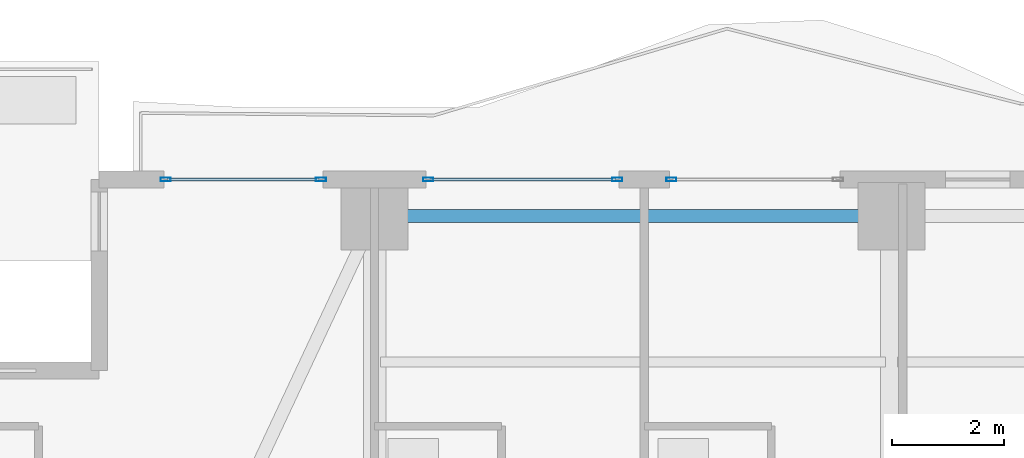
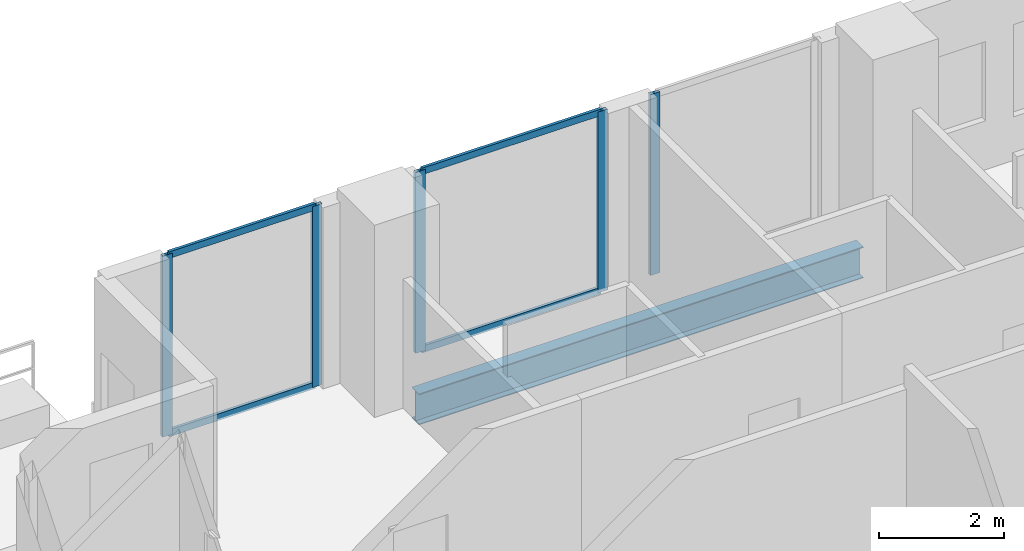
# One storey, part 17 of 33: 9 members, 1 beam, 3 elements without a shape of their own.
"""IFC4 building model written with IfcOpenShell, lengths in metres."""

from ifc_helpers import new_model, si_unit, direction, frame, origin, origin_2d, place, context, subcontext, project, spatial, hollow_rectangle, i_section, extrude, material, layer, layer_set, material_profile, profile_set, type_object, element, aggregate, save


model = new_model("IFC4")

# Units and contexts
model_context = context("Model", 3, precision=1e-05, world=origin(), true_north=direction((0.0, 1.0)))
body_context = subcontext(model_context, "Body", "Model", "MODEL_VIEW")
ifc_project = project(units=[si_unit("LENGTHUNIT", "METRE"), si_unit("AREAUNIT", "SQUARE_METRE"), si_unit("VOLUMEUNIT", "CUBIC_METRE"), si_unit("PLANEANGLEUNIT", "RADIAN"), si_unit("MASSUNIT", "GRAM", prefix="KILO")], contexts=[model_context])

# Site, building, storey
site_placement = place(None, origin())
site = spatial("IfcSite", under=ifc_project, at=site_placement, CompositionType="ELEMENT")
building_placement = place(site_placement, origin())
building = spatial("IfcBuilding", under=site, at=building_placement, Name="Zuhayl Quay Hotel", CompositionType="ELEMENT")
storey_placement = place(building_placement, frame((0.0, 0.0, 222.39990234375)))
storey = spatial("IfcBuildingStorey", under=building, at=storey_placement, Name="L56", CompositionType="ELEMENT", Elevation=222.39990234375)

# Beam
ifc_material_1 = material(Name="Steel ASTM A992 Grade 50", Category="steel")
ifc_material_profile_1 = material_profile(ifc_material_1, i_section(OverallWidth=0.22802734375, OverallDepth=0.60693359375, WebThickness=0.01123046875, FlangeThickness=0.017333984375, at=origin_2d()), Name="W24X76")
ifc_profile_set_1 = profile_set([ifc_material_profile_1], Name="Steel ASTM A992 Grade 50")
beam_type = type_object("IfcBeamType", Name="BM_B3_W24X76", PredefinedType="BEAM", material=ifc_profile_set_1)
beam_placement = place(storey_placement, frame((-5.10009765625, 32.949951171875, -0.5234375), z_axis=(-1.0, 0.0, 0.0), x_axis=(0.0, -1.0, 0.0)))
element("IfcBeam", 1, at=beam_placement, inside=storey, type_object=beam_type, Name="L56 Floor Beam RG_L56_09", PredefinedType="BEAM", context=body_context, shape_type="SweptSolid", body=[
    extrude(i_section(OverallWidth=0.22802734375, OverallDepth=0.60693359375, WebThickness=0.01123046875, FlangeThickness=0.017333984375, at=origin_2d()), origin(), (0.0, 0.0, 1.0), 8.199951171875),
])

# Curtain wall, members
ifc_material_2 = material(Name="Anodised Aluminium 6063-T6", Category="aluminium")
ifc_layer = layer(ifc_material_2, 0.175048828125, Name="Anodised Aluminium 6063-T6", Category="aluminium")
ifc_layer_set = layer_set([ifc_layer], Name="Anodised Aluminium 6063-T6")
curtain_wall_type = type_object("IfcCurtainWallType", Name="CW_SYS_Z3", PredefinedType="USERDEFINED", material=ifc_layer_set)
curtain_wall_1_placement = place(storey_placement, origin())
curtain_wall_1 = element("IfcCurtainWall", 2, at=curtain_wall_1_placement, inside=storey, type_object=curtain_wall_type, Name="L56 Curtain Wall ENV_L56_N_CW1", ObjectType="UNITISED CURTAIN WALL", PredefinedType="USERDEFINED")
ifc_material_3 = material(Name="Black-anodised aluminium 6063-T6", Category="aluminium")
ifc_material_profile_2 = material_profile(ifc_material_3, hollow_rectangle(XDim=0.06494140625, YDim=0.179931640625, WallThickness=0.00341796875, at=origin_2d()), Name="ALU180X65")
ifc_profile_set_2 = profile_set([ifc_material_profile_2], Name="Black-anodised aluminium 6063-T6")
member_type_1 = type_object("IfcMemberType", Name="MB_CW_MUL_180", PredefinedType="MULLION", material=ifc_profile_set_2)
member_1_placement = place(storey_placement, frame((-17.517578125, 33.60009765625, 0.0), z_axis=(0.0, 0.0, 1.0), x_axis=(0.0, 1.0, 0.0)))
member_1 = element("IfcMember", 3, at=member_1_placement, type_object=member_type_1, Name="CW-Z3 mullion 1", PredefinedType="MULLION", context=body_context, shape_type="SweptSolid", body=[
    extrude(hollow_rectangle(XDim=0.06494140625, YDim=0.179931640625, WallThickness=0.00341796875, at=origin_2d()), origin(), (0.0, 0.0, 1.0), 3.530029296875),
])
member_2_placement = place(storey_placement, frame((-14.75244140625, 33.60009765625, 0.0), z_axis=(0.0, 0.0, 1.0), x_axis=(0.0, 1.0, 0.0)))
member_2 = element("IfcMember", 4, at=member_2_placement, type_object=member_type_1, Name="CW-Z3 mullion 2", PredefinedType="MULLION", context=body_context, shape_type="SweptSolid", body=[
    extrude(hollow_rectangle(XDim=0.06494140625, YDim=0.179931640625, WallThickness=0.00341796875, at=origin_2d()), origin(), (0.0, 0.0, 1.0), 3.530029296875),
])

curtain_wall_2_placement = place(storey_placement, origin())
curtain_wall_2 = element("IfcCurtainWall", 5, at=curtain_wall_2_placement, inside=storey, type_object=curtain_wall_type, Name="L56 Curtain Wall ENV_L56_N_CW2", ObjectType="UNITISED CURTAIN WALL", PredefinedType="USERDEFINED")
member_3_placement = place(storey_placement, frame((-12.847412109375, 33.60009765625, 0.0), z_axis=(0.0, 0.0, 1.0), x_axis=(0.0, 1.0, 0.0)))
member_3 = element("IfcMember", 6, at=member_3_placement, type_object=member_type_1, Name="CW-Z3 mullion 1", PredefinedType="MULLION", context=body_context, shape_type="SweptSolid", body=[
    extrude(hollow_rectangle(XDim=0.06494140625, YDim=0.179931640625, WallThickness=0.00341796875, at=origin_2d()), origin(), (0.0, 0.0, 1.0), 3.530029296875),
])
member_4_placement = place(storey_placement, frame((-9.482421875, 33.60009765625, 0.0), z_axis=(0.0, 0.0, 1.0), x_axis=(0.0, 1.0, 0.0)))
member_4 = element("IfcMember", 7, at=member_4_placement, type_object=member_type_1, Name="CW-Z3 mullion 2", PredefinedType="MULLION", context=body_context, shape_type="SweptSolid", body=[
    extrude(hollow_rectangle(XDim=0.06494140625, YDim=0.179931640625, WallThickness=0.00341796875, at=origin_2d()), origin(), (0.0, 0.0, 1.0), 3.530029296875),
])

# Curtain wall, member
curtain_wall_3_placement = place(storey_placement, origin())
curtain_wall_3 = element("IfcCurtainWall", 8, at=curtain_wall_3_placement, inside=storey, type_object=curtain_wall_type, Name="L56 Curtain Wall ENV_L56_N_CW3", ObjectType="UNITISED CURTAIN WALL", PredefinedType="USERDEFINED")
member_5_placement = place(storey_placement, frame((-8.517578125, 33.60009765625, 0.0), z_axis=(0.0, 0.0, 1.0), x_axis=(0.0, 1.0, 0.0)))
member_5 = element("IfcMember", 9, at=member_5_placement, type_object=member_type_1, Name="CW-Z3 mullion 1", PredefinedType="MULLION", context=body_context, shape_type="SweptSolid", body=[
    extrude(hollow_rectangle(XDim=0.06494140625, YDim=0.179931640625, WallThickness=0.00341796875, at=origin_2d()), origin(), (0.0, 0.0, 1.0), 3.530029296875),
])
aggregate(curtain_wall_3, [member_5])

# Member
ifc_material_profile_3 = material_profile(ifc_material_3, hollow_rectangle(XDim=0.054931640625, YDim=0.1298828125, WallThickness=0.0029296875, at=origin_2d()), Name="ALU130X55")
ifc_profile_set_3 = profile_set([ifc_material_profile_3], Name="Black-anodised aluminium 6063-T6")
member_type_2 = type_object("IfcMemberType", Name="MB_CW_TRN_130", PredefinedType="USERDEFINED", material=ifc_profile_set_3)
member_6_placement = place(storey_placement, frame((-17.485107421875, 33.60009765625, 0.027587890625), z_axis=(1.0, 0.0, 0.0), x_axis=(0.0, 1.0, 0.0)))
member_6 = element("IfcMember", 10, at=member_6_placement, type_object=member_type_2, Name="CW-Z3 transom 1.1", ObjectType="TRANSOM", PredefinedType="USERDEFINED", context=body_context, shape_type="SweptSolid", body=[
    extrude(hollow_rectangle(XDim=0.054931640625, YDim=0.1298828125, WallThickness=0.0029296875, at=origin_2d()), origin(), (0.0, 0.0, 1.0), 2.7001953125),
])

member_7_placement = place(storey_placement, frame((-17.485107421875, 33.60009765625, 3.502685546875), z_axis=(1.0, 0.0, 0.0), x_axis=(0.0, 1.0, 0.0)))
member_7 = element("IfcMember", 11, at=member_7_placement, type_object=member_type_2, Name="CW-Z3 transom 1.2", ObjectType="TRANSOM", PredefinedType="USERDEFINED", context=body_context, shape_type="SweptSolid", body=[
    extrude(hollow_rectangle(XDim=0.054931640625, YDim=0.1298828125, WallThickness=0.0029296875, at=origin_2d()), origin(), (0.0, 0.0, 1.0), 2.7001953125),
])

aggregate(curtain_wall_1, [member_1, member_2, member_6, member_7])

member_8_placement = place(storey_placement, frame((-12.81494140625, 33.60009765625, 0.027587890625), z_axis=(1.0, 0.0, 0.0), x_axis=(0.0, 1.0, 0.0)))
member_8 = element("IfcMember", 12, at=member_8_placement, type_object=member_type_2, Name="CW-Z3 transom 1.1", ObjectType="TRANSOM", PredefinedType="USERDEFINED", context=body_context, shape_type="SweptSolid", body=[
    extrude(hollow_rectangle(XDim=0.054931640625, YDim=0.1298828125, WallThickness=0.0029296875, at=origin_2d()), origin(), (0.0, 0.0, 1.0), 3.300048828125),
])

member_9_placement = place(storey_placement, frame((-12.81494140625, 33.60009765625, 3.502685546875), z_axis=(1.0, 0.0, 0.0), x_axis=(0.0, 1.0, 0.0)))
member_9 = element("IfcMember", 13, at=member_9_placement, type_object=member_type_2, Name="CW-Z3 transom 1.2", ObjectType="TRANSOM", PredefinedType="USERDEFINED", context=body_context, shape_type="SweptSolid", body=[
    extrude(hollow_rectangle(XDim=0.054931640625, YDim=0.1298828125, WallThickness=0.0029296875, at=origin_2d()), origin(), (0.0, 0.0, 1.0), 3.300048828125),
])

aggregate(curtain_wall_2, [member_3, member_4, member_8, member_9])

save(model, "model.ifc")
